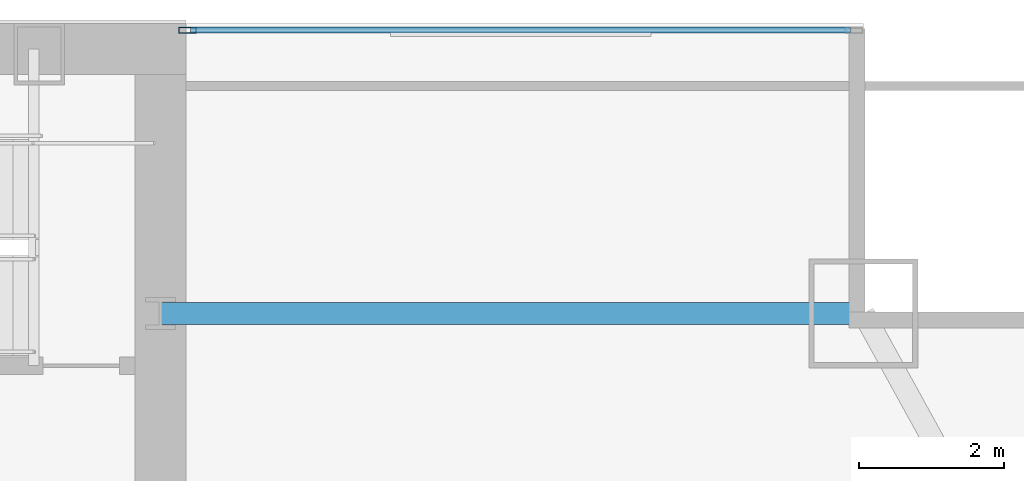
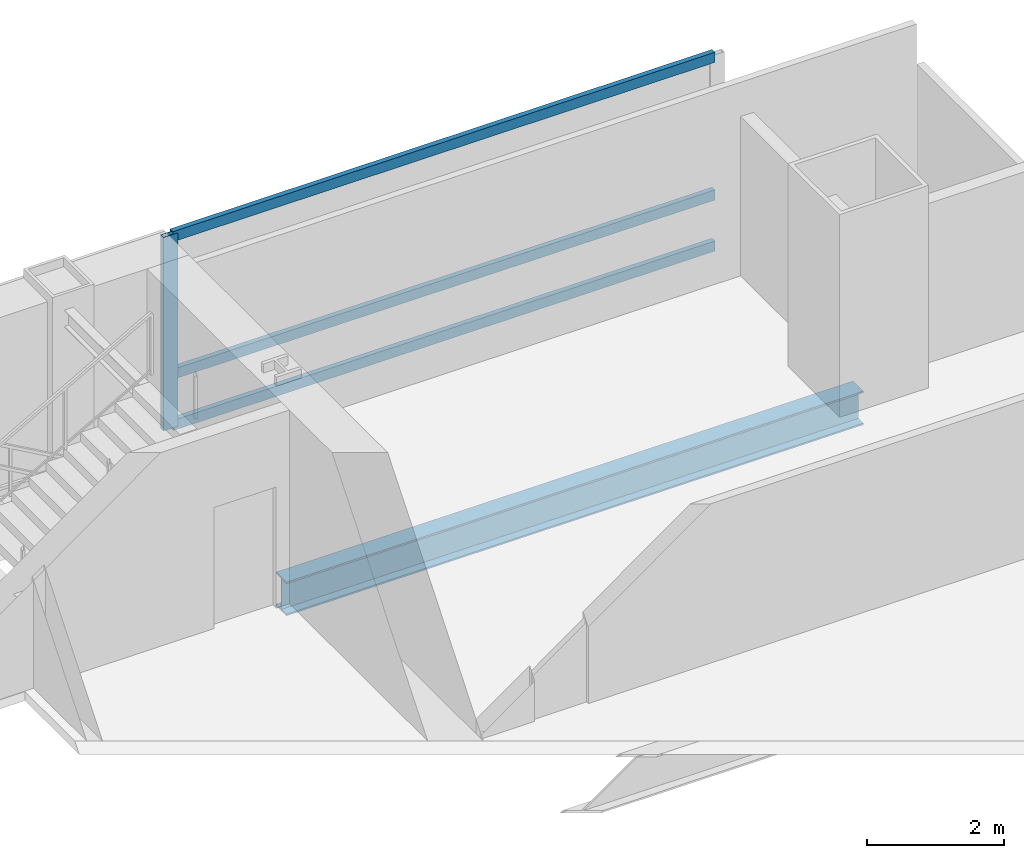
# One storey, part 20 of 32: 4 members, 1 beam, 1 element without a shape of its own.
"""IFC4 building model written with IfcOpenShell, lengths in metres."""

from ifc_helpers import new_model, si_unit, direction, frame, origin, origin_2d, place, context, subcontext, project, spatial, hollow_rectangle, i_section, extrude, material, material_profile, profile_set, type_object, element, aggregate, save


model = new_model("IFC4")

# Units and contexts
model_context = context("Model", 3, precision=1e-05, world=origin(), true_north=direction((0.0, 1.0)))
body_context = subcontext(model_context, "Body", "Model", "MODEL_VIEW")
ifc_project = project(units=[si_unit("LENGTHUNIT", "METRE"), si_unit("AREAUNIT", "SQUARE_METRE"), si_unit("VOLUMEUNIT", "CUBIC_METRE"), si_unit("PLANEANGLEUNIT", "RADIAN"), si_unit("MASSUNIT", "GRAM", prefix="KILO")], contexts=[model_context])

# Site, building, storey
site_placement = place(None, origin())
site = spatial("IfcSite", under=ifc_project, at=site_placement, CompositionType="ELEMENT")
building_placement = place(site_placement, origin())
building = spatial("IfcBuilding", under=site, at=building_placement, Name="Khoronbel Lancet Exchange", CompositionType="ELEMENT")
storey_placement = place(building_placement, frame((0.0, 0.0, 111.0)))
storey = spatial("IfcBuildingStorey", under=building, at=storey_placement, Name="L26", CompositionType="ELEMENT", Elevation=111.0)

# Beam
ifc_material_1 = material(Name="Steel S355", Category="steel")
ifc_material_profile_1 = material_profile(ifc_material_1, i_section(OverallWidth=0.300048828125, OverallDepth=0.60009765625, WebThickness=0.015380859375, FlangeThickness=0.030029296875, at=origin_2d()), Name="HEB 600")
ifc_profile_set_1 = profile_set([ifc_material_profile_1], Name="Steel S355")
beam_type = type_object("IfcBeamType", Name="BM-BSP2", PredefinedType="SPANDREL", material=ifc_profile_set_1)
beam_placement = place(storey_placement, frame((66.050048828125, 49.699951171875, -0.4599609375), z_axis=(-1.0, 0.0, 0.0), x_axis=(0.0, -1.0, 0.0)))
element("IfcBeam", 1, at=beam_placement, inside=storey, type_object=beam_type, Name="Level L26 north flank tie spandrel SP23", PredefinedType="SPANDREL", context=body_context, shape_type="SweptSolid", body=[
    extrude(i_section(OverallWidth=0.300048828125, OverallDepth=0.60009765625, WebThickness=0.015380859375, FlangeThickness=0.030029296875, at=origin_2d()), origin(), (0.0, 0.0, 1.0), 9.699951171875),
])

# Curtain wall, members
ifc_material_2 = material(Name="Low-E Solar Control Insulating Glass", Category="glass")
curtain_wall_type = type_object("IfcCurtainWallType", Name="CW-2", PredefinedType="NOTDEFINED", material=ifc_material_2)
curtain_wall_placement = place(storey_placement, origin())
curtain_wall = element("IfcCurtainWall", 2, at=curtain_wall_placement, inside=storey, type_object=curtain_wall_type, Name="Unitised curtain wall CW-L26-NEFLK", PredefinedType="NOTDEFINED")
ifc_material_3 = material(Name="Bronze-Anodised Aluminium 6063-T6", Category="aluminium")
ifc_material_profile_2 = material_profile(ifc_material_3, hollow_rectangle(XDim=0.0849609375, YDim=0.239990234375, WallThickness=0.006103515625, at=origin_2d()), Name="ALU MULLION 85x240")
ifc_profile_set_2 = profile_set([ifc_material_profile_2], Name="Bronze-Anodised Aluminium 6063-T6")
member_type_1 = type_object("IfcMemberType", Name="MEM-CWM1", PredefinedType="MULLION", material=ifc_profile_set_2)
member_1_placement = place(storey_placement, frame((56.722412109375, 53.610107421875, 0.0), z_axis=(0.0, 0.0, 1.0), x_axis=(0.0, -1.0, 0.0)))
member_1 = element("IfcMember", 3, at=member_1_placement, type_object=member_type_1, Name="CW2 mullion 2", PredefinedType="MULLION", context=body_context, shape_type="SweptSolid", body=[
    extrude(hollow_rectangle(XDim=0.0849609375, YDim=0.239990234375, WallThickness=0.006103515625, at=origin_2d()), origin(), (0.0, 0.0, 1.0), 3.43994140625),
])
ifc_material_profile_3 = material_profile(ifc_material_3, hollow_rectangle(XDim=0.0849609375, YDim=0.179931640625, WallThickness=0.0048828125, at=origin_2d()), Name="ALU TRANSOM 85x180")
ifc_profile_set_3 = profile_set([ifc_material_profile_3], Name="Bronze-Anodised Aluminium 6063-T6")
member_type_2 = type_object("IfcMemberType", Name="MEM-CWT1", PredefinedType="USERDEFINED", material=ifc_profile_set_3)
member_2_placement = place(storey_placement, frame((65.875, 53.610107421875, 0.04248046875), z_axis=(-1.0, 0.0, 0.0), x_axis=(0.0, -1.0, 0.0)))
member_2 = element("IfcMember", 4, at=member_2_placement, type_object=member_type_2, Name="CW2 transom 1.1", ObjectType="TRANSOM", PredefinedType="USERDEFINED", context=body_context, shape_type="SweptSolid", body=[
    extrude(hollow_rectangle(XDim=0.0849609375, YDim=0.179931640625, WallThickness=0.0048828125, at=origin_2d()), origin(), (0.0, 0.0, 1.0), 9.110107421875),
])
member_3_placement = place(storey_placement, frame((65.875, 53.610107421875, 0.949951171875), z_axis=(-1.0, 0.0, 0.0), x_axis=(0.0, -1.0, 0.0)))
member_3 = element("IfcMember", 5, at=member_3_placement, type_object=member_type_2, Name="CW2 transom 1.2", ObjectType="TRANSOM", PredefinedType="USERDEFINED", context=body_context, shape_type="SweptSolid", body=[
    extrude(hollow_rectangle(XDim=0.0849609375, YDim=0.179931640625, WallThickness=0.0048828125, at=origin_2d()), origin(), (0.0, 0.0, 1.0), 9.110107421875),
])
member_4_placement = place(storey_placement, frame((65.875, 53.610107421875, 3.3974609375), z_axis=(-1.0, 0.0, 0.0), x_axis=(0.0, -1.0, 0.0)))
member_4 = element("IfcMember", 6, at=member_4_placement, type_object=member_type_2, Name="CW2 transom 1.3", ObjectType="TRANSOM", PredefinedType="USERDEFINED", context=body_context, shape_type="SweptSolid", body=[
    extrude(hollow_rectangle(XDim=0.0849609375, YDim=0.179931640625, WallThickness=0.0048828125, at=origin_2d()), origin(), (0.0, 0.0, 1.0), 9.110107421875),
])
aggregate(curtain_wall, [member_1, member_2, member_3, member_4])

save(model, "model.ifc")
